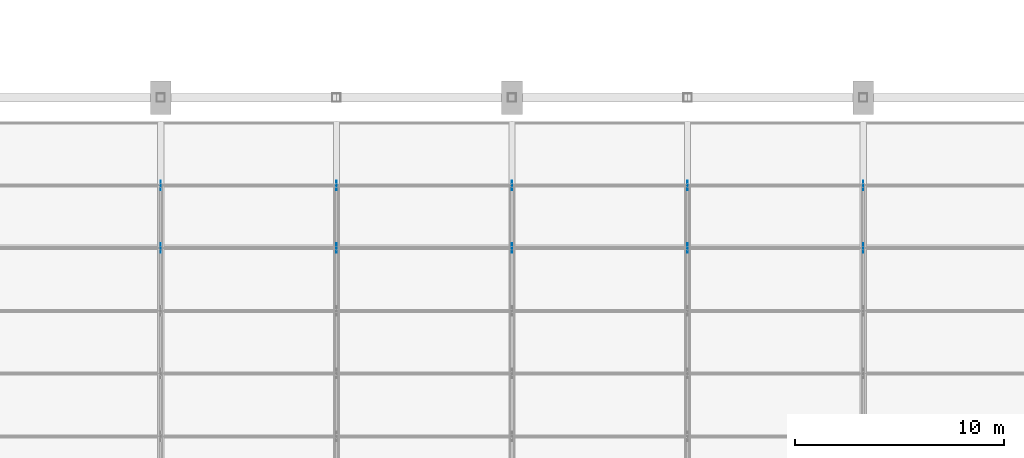
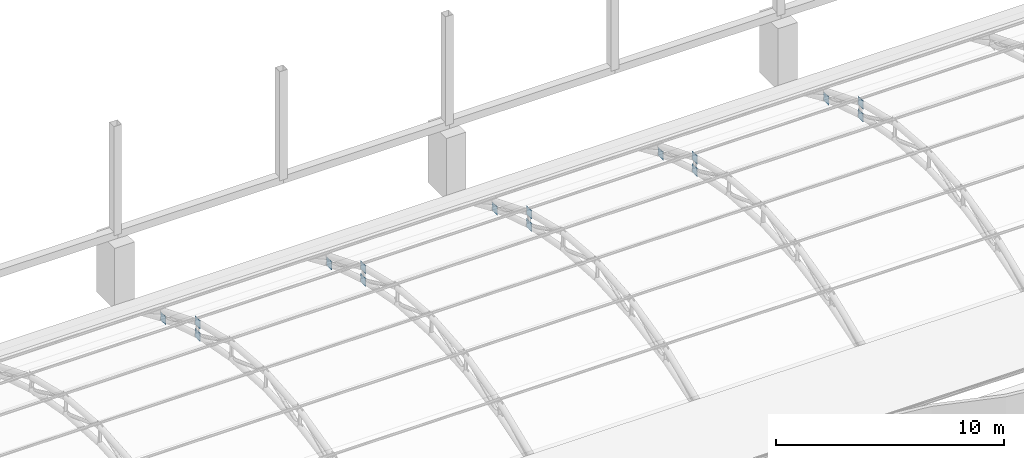
# One storey, part 142 of 163: 15 discrete accessories.
"""IFC4 building model written with IfcOpenShell, lengths in metres."""

import ifcopenshell
import ifcopenshell.guid

model = None  # the IFC model being written
_history = None  # IfcOwnerHistory: only IFC2X3 demands one
_inside = {}  # id of a spatial element -> (the spatial element, [elements in it])
_under = {}  # id of a project, library or spatial element -> (it, [spatial elements below it])
_declared = {}  # id of a project -> (the project, [libraries it declares])
_typed = {}  # id of a type object -> (the type object, [elements of that type])
_made_of = {}  # id of a material, layer set ... -> (it, [elements and type objects made of it])


def new_model(schema):
    """Start an empty IFC model of exactly this schema.

    Asked for "IFC4X3", IfcOpenShell would pick the latest addendum, in which some entities
    have other attributes; the version numbers below select the first issue.
    IFC2X3 requires an IfcOwnerHistory on every rooted entity: one is made here for all.
    """
    global model, _history
    if schema == "IFC4X3":
        model = ifcopenshell.file(schema_version=(4, 3, 0, 0))
    else:
        model = ifcopenshell.file(schema=schema)
    _inside.clear()
    _under.clear()
    _declared.clear()
    _typed.clear()
    _made_of.clear()
    _history = None
    if model.schema == "IFC2X3":
        org = make("IfcOrganization", Name="unknown")
        user = make(
            "IfcPersonAndOrganization",
            ThePerson=make("IfcPerson", FamilyName="unknown"),
            TheOrganization=org,
        )
        app = make(
            "IfcApplication",
            ApplicationDeveloper=org,
            Version="unknown",
            ApplicationFullName="unknown",
            ApplicationIdentifier="unknown",
        )
        _history = make(
            "IfcOwnerHistory",
            OwningUser=user,
            OwningApplication=app,
            ChangeAction="ADDED",
            CreationDate=0,
        )
    return model


def make(cls, **values):
    """One entity of the class cls with the attributes given. An attribute that is None is left unset."""
    return model.create_entity(
        cls, **{name: value for name, value in values.items() if value is not None}
    )


def rooted(cls, **values):
    """An entity with a GlobalId (a new one), such as an element, a storey or a relation."""
    return make(cls, GlobalId=ifcopenshell.guid.new(), OwnerHistory=_history, **values)


def si_unit(unit_type, name, prefix=None):
    """IfcSIUnit, for example si_unit("LENGTHUNIT", "METRE", prefix="MILLI")."""
    return make("IfcSIUnit", UnitType=unit_type, Prefix=prefix, Name=name)


def assignment(units):
    """IfcUnitAssignment: the units of a project."""
    return None if units is None else make("IfcUnitAssignment", Units=units)


def point(xyz):
    """IfcCartesianPoint."""
    return None if xyz is None else make("IfcCartesianPoint", Coordinates=xyz)


def direction(xyz):
    """IfcDirection."""
    return None if xyz is None else make("IfcDirection", DirectionRatios=xyz)


def frame(location, z_axis=None, x_axis=None):
    """IfcAxis2Placement3D, a coordinate frame: its origin and axes. An axis left out is left unset."""
    return make(
        "IfcAxis2Placement3D",
        Location=point(location),
        Axis=direction(z_axis),
        RefDirection=direction(x_axis),
    )


def frame_2d(location, x_axis=None):
    """IfcAxis2Placement2D, a coordinate frame in the plane: its origin and x axis."""
    return make(
        "IfcAxis2Placement2D", Location=point(location), RefDirection=direction(x_axis)
    )


def origin():
    """The frame at (0, 0, 0) with its axes left unset."""
    return frame((0.0, 0.0, 0.0))


def origin_2d():
    """The frame at (0, 0) in the plane with its x axis left unset."""
    return frame_2d((0.0, 0.0))


def place(relative_to, where):
    """IfcLocalPlacement: puts the frame where relative to a parent placement (None: the world)."""
    return make(
        "IfcLocalPlacement", PlacementRelTo=relative_to, RelativePlacement=where
    )


def context(
    kind, dimensions, precision=None, world=None, true_north=None, identifier=None
):
    """IfcGeometricRepresentationContext, for example the 3D "Model" context."""
    return make(
        "IfcGeometricRepresentationContext",
        ContextIdentifier=identifier,
        ContextType=kind,
        CoordinateSpaceDimension=dimensions,
        Precision=precision,
        WorldCoordinateSystem=world,
        TrueNorth=true_north,
    )


def subcontext(parent, identifier, kind, view, scale=None):
    """IfcGeometricRepresentationSubContext, for example "Body" below "Model"."""
    return make(
        "IfcGeometricRepresentationSubContext",
        ContextIdentifier=identifier,
        ContextType=kind,
        ParentContext=parent,
        TargetScale=scale,
        TargetView=view,
    )


def project(units=None, contexts=None):
    """IfcProject with its units and contexts."""
    return rooted(
        "IfcProject",
        Name="project",
        RepresentationContexts=contexts,
        UnitsInContext=assignment(units),
    )


def spatial(cls, under=None, at=None, **own):
    """A site, building, storey or space (cls), placed at a placement, below another one or the project."""
    s = rooted(cls, ObjectPlacement=at, **own)
    if under is not None:
        _under.setdefault(under.id(), (under, []))[1].append(s)
    return s


def profile(cls, at=None, kind="AREA", **sizes):
    """A parametric profile (cls). Its sizes go by their IFC names, for example OverallWidth=200.0."""
    return make(cls, ProfileType=kind, Position=at, **sizes)


def rectangle(**sizes):
    """IfcRectangleProfileDef."""
    return profile("IfcRectangleProfileDef", **sizes)


def extrude(swept, where, along, depth):
    """IfcExtrudedAreaSolid: the profile swept, set in the frame where, extruded along a direction by depth."""
    return make(
        "IfcExtrudedAreaSolid",
        SweptArea=swept,
        Position=where,
        ExtrudedDirection=direction(along),
        Depth=depth,
    )


def shape(context_of_items, identifier, shape_type, items):
    """IfcShapeRepresentation: the items that make up one representation, for example the "Body"."""
    return make(
        "IfcShapeRepresentation",
        ContextOfItems=context_of_items,
        RepresentationIdentifier=identifier,
        RepresentationType=shape_type,
        Items=items,
    )


def material(Name=None, Category=None):
    """IfcMaterial."""
    return make("IfcMaterial", Name=Name, Category=Category)


def layer(
    of_material, thickness, ventilated=None, Name=None, Category=None, Priority=None
):
    """IfcMaterialLayer: one layer of a wall or slab, of a material (None: an air gap)."""
    return make(
        "IfcMaterialLayer",
        Material=of_material,
        LayerThickness=thickness,
        IsVentilated=ventilated,
        Name=Name,
        Category=Category,
        Priority=Priority,
    )


def layer_set(layers, Name=None):
    """IfcMaterialLayerSet."""
    return make("IfcMaterialLayerSet", MaterialLayers=layers, LayerSetName=Name)


def made_of(thing, what):
    """Note that an element or type object is made of a material, layer set ...; save() writes the relation."""
    if what is not None:
        _made_of.setdefault(what.id(), (what, []))[1].append(thing)
    return thing


def type_object(cls, material=None, **own):
    """A type object (cls), such as IfcWallType, which elements share."""
    return made_of(rooted(cls, **own), material)


def element(
    cls,
    number,
    at=None,
    inside=None,
    cuts=None,
    type_object=None,
    material=None,
    context=None,
    identifier="Body",
    shape_type=None,
    held_by="IfcProductDefinitionShape",
    body=None,
    shapes=None,
    **own,
):
    """One element of the class cls, such as IfcWall. Its Tag is "e" and its number.

    at: its placement. inside: the storey or other place that contains it. cuts: it is an
    opening in that element (IfcRelVoidsElement). A single representation is given by context,
    identifier, shape_type and body (its items); several are given by shapes. held_by: the class
    of the entity that holds the representations. save() writes the other relations.
    """
    e = rooted(cls, Tag="e%d" % number, ObjectPlacement=at, **own)
    if body is not None:
        shapes = [shape(context, identifier, shape_type, body)]
    if shapes is not None:
        e.Representation = make(held_by, Representations=shapes)
    if inside is not None:
        _inside.setdefault(inside.id(), (inside, []))[1].append(e)
    if cuts is not None:
        rooted(
            "IfcRelVoidsElement", RelatingBuildingElement=cuts, RelatedOpeningElement=e
        )
    if type_object is not None:
        _typed.setdefault(type_object.id(), (type_object, []))[1].append(e)
    return made_of(e, material)


def aggregate(whole, parts):
    """IfcRelAggregates: a whole, such as a stair, and the parts it consists of."""
    return rooted("IfcRelAggregates", RelatingObject=whole, RelatedObjects=parts)


def save(model, path):
    """Write the relations noted so far, then the file.

    IfcRelAggregates (storeys below a building ...), IfcRelContainedInSpatialStructure (elements
    in a storey), IfcRelDefinesByType, IfcRelAssociatesMaterial and IfcRelDeclares: one each for
    every whole, place, type object, material and project.
    """
    for whole, parts in _under.values():
        aggregate(whole, parts)
    for where, things in _inside.values():
        rooted(
            "IfcRelContainedInSpatialStructure",
            RelatedElements=things,
            RelatingStructure=where,
        )
    for kind, things in _typed.values():
        rooted("IfcRelDefinesByType", RelatedObjects=things, RelatingType=kind)
    for what, things in _made_of.values():
        rooted("IfcRelAssociatesMaterial", RelatedObjects=things, RelatingMaterial=what)
    for by, libraries in _declared.values():
        rooted("IfcRelDeclares", RelatingContext=by, RelatedDefinitions=libraries)
    model.write(path)


model = new_model("IFC4")

# Units and contexts
model_context = context("Model", 3, precision=1e-05, world=origin(), true_north=direction((0.0, 1.0)))
body_context = subcontext(model_context, "Body", "Model", "MODEL_VIEW")
ifc_project = project(units=[si_unit("LENGTHUNIT", "METRE"), si_unit("AREAUNIT", "SQUARE_METRE"), si_unit("VOLUMEUNIT", "CUBIC_METRE"), si_unit("PLANEANGLEUNIT", "RADIAN"), si_unit("MASSUNIT", "GRAM", prefix="KILO")], contexts=[model_context])

# Site, building, storey
site_placement = place(None, origin())
site = spatial("IfcSite", under=ifc_project, at=site_placement, CompositionType="ELEMENT")
building_placement = place(site_placement, origin())
building = spatial("IfcBuilding", under=site, at=building_placement, Name="Rain Tree Exposition and Congress Centre", CompositionType="ELEMENT")
storey_placement = place(building_placement, frame((0.0, 0.0, 10.5)))
storey = spatial("IfcBuildingStorey", under=building, at=storey_placement, Name="L02", CompositionType="ELEMENT", Elevation=10.5)

# Discrete accessories
ifc_material = material(Name="Steel plate S355J2", Category="steel")
ifc_layer = layer(ifc_material, 0.02001953125)
ifc_layer_set = layer_set([ifc_layer], Name="Steel plate S355J2")
discrete_accessory_type = type_object("IfcDiscreteAccessoryType", Name="Brace node plate 450x450x20", PredefinedType="BRACKET", material=ifc_layer_set)
for number, where, z_axis, x_axis, name in (
    (1, (193.199951171875, 93.60009765625, 2.15478515625), (0.0, 0.0, 1.0), (0.0, -1.0, 0.0), "Brace node plate 450"),
    (2, (193.199951171875, 96.60009765625, 1.21728515625), (0.0, 0.0, 1.0), (0.0, -1.0, 0.0), "Brace node plate 450"),
    (3, (193.199951171875, 93.60009765625, 2.830078125), (0.0, 0.0, 1.0), (0.0, 1.0, 0.0), "Brace node plate 450"),
    (4, (201.60009765625, 93.60009765625, 2.15478515625), (0.0, 0.0, 1.0), (0.0, -1.0, 0.0), "Brace node plate 450"),
    (5, (201.60009765625, 96.60009765625, 1.21728515625), (0.0, 0.0, 1.0), (0.0, -1.0, 0.0), "Brace node plate 450"),
    (6, (201.60009765625, 93.60009765625, 2.830078125), (0.0, 0.0, 1.0), (0.0, 1.0, 0.0), "Brace node plate 450"),
    (7, (210.0, 93.60009765625, 2.15478515625), (0.0, 0.0, 1.0), (0.0, -1.0, 0.0), "Brace node plate 450"),
    (8, (210.0, 96.60009765625, 1.21728515625), (0.0, 0.0, 1.0), (0.0, -1.0, 0.0), "Brace node plate 450"),
    (9, (210.0, 93.60009765625, 2.830078125), (0.0, 0.0, 1.0), (0.0, 1.0, 0.0), "Brace node plate 450"),
    (10, (218.39990234375, 93.60009765625, 2.15478515625), (0.0, 0.0, 1.0), (0.0, -1.0, 0.0), "Brace node plate 450"),
    (11, (218.39990234375, 96.60009765625, 1.21728515625), (0.0, 0.0, 1.0), (0.0, -1.0, 0.0), "Brace node plate 450"),
    (12, (218.39990234375, 93.60009765625, 2.830078125), (0.0, 0.0, 1.0), (0.0, 1.0, 0.0), "Brace node plate 450"),
    (13, (226.800048828125, 93.60009765625, 2.15478515625), (0.0, 0.0, 1.0), (0.0, -1.0, 0.0), "Brace node plate 450"),
    (14, (226.800048828125, 96.60009765625, 1.21728515625), (0.0, 0.0, 1.0), (0.0, -1.0, 0.0), "Brace node plate 450"),
    (15, (226.800048828125, 93.60009765625, 2.830078125), (0.0, 0.0, 1.0), (0.0, 1.0, 0.0), "Brace node plate 450"),
):
    element("IfcDiscreteAccessory", number, at=place(storey_placement, frame(where, z_axis=z_axis, x_axis=x_axis)), inside=storey, type_object=discrete_accessory_type, Name=name, PredefinedType="BRACKET", context=body_context, shape_type="SweptSolid", body=[
        extrude(rectangle(XDim=0.449951171875, YDim=0.02001953125, at=origin_2d()), origin(), (0.0, 0.0, 1.0), 0.449951171875),
    ])

save(model, "model.ifc")
